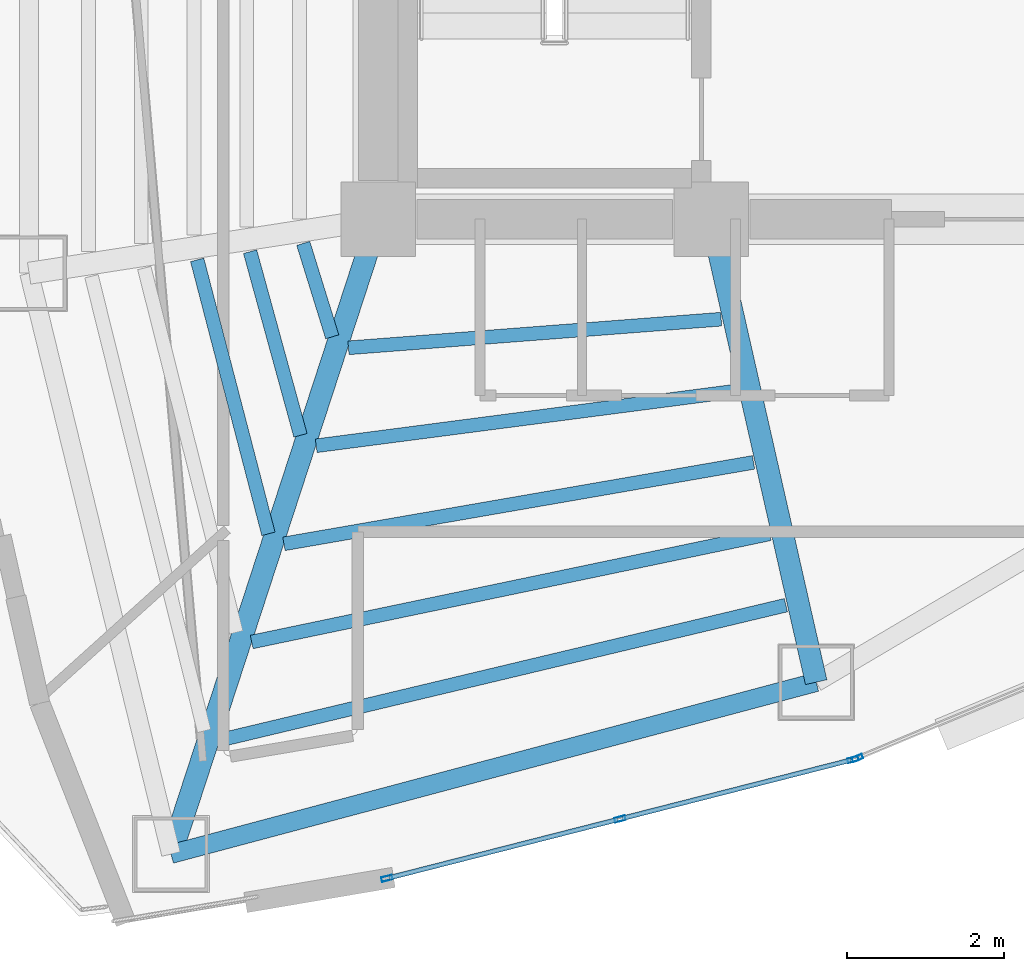
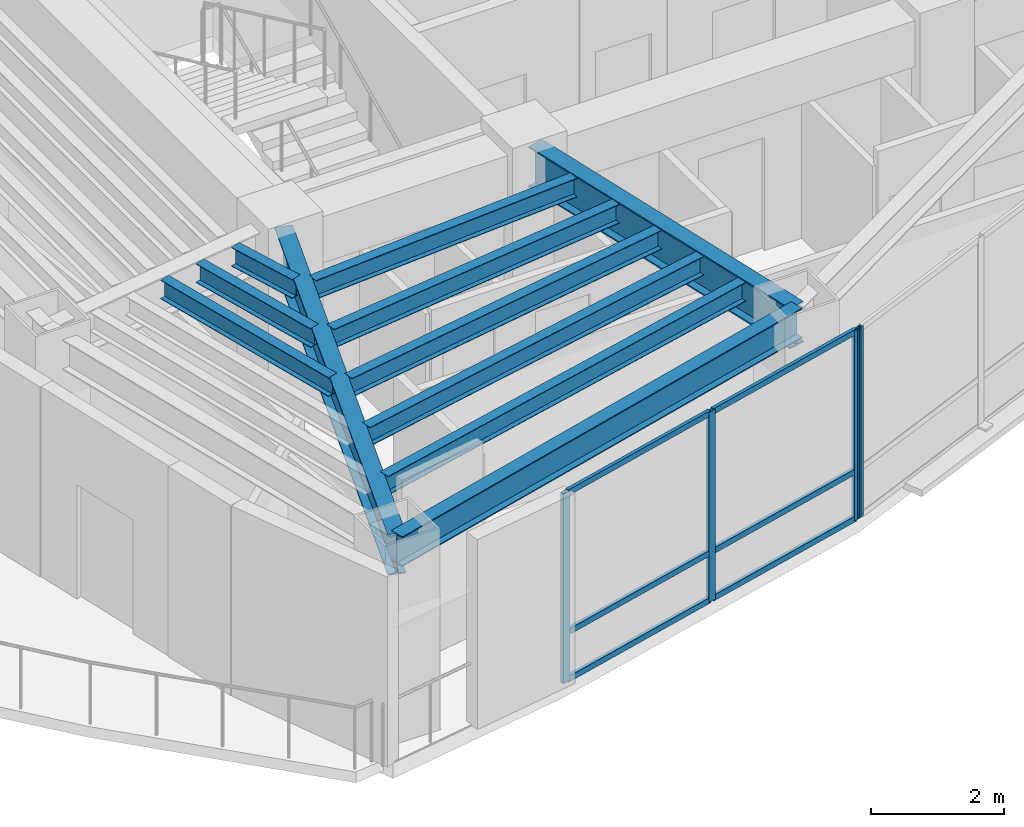
# One storey, part 3 of 17: 11 beams, 10 members, 2 elements without a shape of their own.
"""IFC4 building model written with IfcOpenShell, lengths in metres."""

from ifc_helpers import new_model, si_unit, direction, frame, origin, origin_2d, place, context, subcontext, project, spatial, hollow_rectangle, i_section, extrude, material, layer, layer_set, material_profile, profile_set, type_object, element, aggregate, save


model = new_model("IFC4")

# Units and contexts
model_context = context("Model", 3, precision=1e-05, world=origin(), true_north=direction((0.0, 1.0)))
body_context = subcontext(model_context, "Body", "Model", "MODEL_VIEW")
ifc_project = project(units=[si_unit("LENGTHUNIT", "METRE"), si_unit("AREAUNIT", "SQUARE_METRE"), si_unit("VOLUMEUNIT", "CUBIC_METRE"), si_unit("PLANEANGLEUNIT", "RADIAN"), si_unit("MASSUNIT", "GRAM", prefix="KILO")], contexts=[model_context])

# Site, building, storey
site_placement = place(None, origin())
site = spatial("IfcSite", under=ifc_project, at=site_placement, CompositionType="ELEMENT")
building_placement = place(site_placement, origin())
building = spatial("IfcBuilding", under=site, at=building_placement, Name="Menara Vayukalpa", CompositionType="ELEMENT")
storey_placement = place(building_placement, frame((0.0, 0.0, 206.39990234375)))
storey = spatial("IfcBuildingStorey", under=building, at=storey_placement, Name="L52", CompositionType="ELEMENT", Elevation=206.39990234375)

# Beams
ifc_material_1 = material(Name="Steel S355", Category="steel")
ifc_material_profile_1 = material_profile(ifc_material_1, i_section(OverallWidth=0.280029296875, OverallDepth=0.75, WebThickness=0.013916015625, FlangeThickness=0.02490234375, at=origin_2d()), Name="WF 750x280x14x25")
ifc_profile_set_1 = profile_set([ifc_material_profile_1], Name="Steel S355")
beam_type_1 = type_object("IfcBeamType", Name="BM-PG4", PredefinedType="BEAM", material=ifc_profile_set_1)
beam_1_placement = place(storey_placement, frame((17.722412109375, 16.96240234375, 3.125), z_axis=(-0.310343552153, -0.950624468251, 0.0), x_axis=(0.950624468251, -0.310343552153, 0.0)))
element("IfcBeam", 1, at=beam_1_placement, inside=storey, type_object=beam_type_1, Name="L52 Primary Radial Girder RG07", PredefinedType="BEAM", context=body_context, shape_type="SweptSolid", body=[
    extrude(i_section(OverallWidth=0.280029296875, OverallDepth=0.75, WebThickness=0.013916015625, FlangeThickness=0.02490234375, at=origin_2d()), origin(), (0.0, 0.0, 1.0), 8.2734375),
])
beam_2_placement = place(storey_placement, frame((22.105224609375, 16.956298828125, 3.125), z_axis=(0.221085149161, -0.975254508741, 0.0), x_axis=(0.975254508741, 0.221085149161, 0.0)))
element("IfcBeam", 2, at=beam_2_placement, inside=storey, type_object=beam_type_1, Name="L52 Primary Radial Girder RG08", PredefinedType="BEAM", context=body_context, shape_type="SweptSolid", body=[
    extrude(i_section(OverallWidth=0.280029296875, OverallDepth=0.75, WebThickness=0.013916015625, FlangeThickness=0.02490234375, at=origin_2d()), origin(), (0.0, 0.0, 1.0), 5.80859375),
])
ifc_material_2 = material(Name="Steel S355", Category="steel")
ifc_material_profile_2 = material_profile(ifc_material_2, i_section(OverallWidth=0.175048828125, OverallDepth=0.35009765625, WebThickness=0.007080078125, FlangeThickness=0.010986328125, at=origin_2d()), Name="WF 350x175x7x11")
ifc_profile_set_2 = profile_set([ifc_material_profile_2], Name="Steel S355")
beam_type_2 = type_object("IfcBeamType", Name="BM-SJ3", PredefinedType="JOIST", material=ifc_profile_set_2)
beam_3_placement = place(storey_placement, frame((16.8427734375, 16.891845703125, 3.3251953125), z_axis=(0.296448419226, -0.955048865105, 0.0), x_axis=(0.955048865105, 0.296448419226, 0.0)))
element("IfcBeam", 3, at=beam_3_placement, inside=storey, type_object=beam_type_2, Name="L52 Secondary Floor Joist SJ06-1", PredefinedType="JOIST", context=body_context, shape_type="SweptSolid", body=[
    extrude(i_section(OverallWidth=0.175048828125, OverallDepth=0.35009765625, WebThickness=0.007080078125, FlangeThickness=0.010986328125, at=origin_2d()), origin(), (0.0, 0.0, 1.0), 1.24853515625),
])
beam_4_placement = place(storey_placement, frame((16.164306640625, 16.7861328125, 3.3251953125), z_axis=(0.264502665082, -0.964384954344, 0.0), x_axis=(0.964384954344, 0.264502665082, 0.0)))
element("IfcBeam", 4, at=beam_4_placement, inside=storey, type_object=beam_type_2, Name="L52 Secondary Floor Joist SJ06-2", PredefinedType="JOIST", context=body_context, shape_type="SweptSolid", body=[
    extrude(i_section(OverallWidth=0.175048828125, OverallDepth=0.35009765625, WebThickness=0.007080078125, FlangeThickness=0.010986328125, at=origin_2d()), origin(), (0.0, 0.0, 1.0), 2.430419921875),
])
beam_5_placement = place(storey_placement, frame((15.48876953125, 16.681396484375, 3.3251953125), z_axis=(0.251714869346, -0.967801438597, 0.0), x_axis=(0.967801438597, 0.251714869346, 0.0)))
element("IfcBeam", 5, at=beam_5_placement, inside=storey, type_object=beam_type_2, Name="L52 Secondary Floor Joist SJ06-3", PredefinedType="JOIST", context=body_context, shape_type="SweptSolid", body=[
    extrude(i_section(OverallWidth=0.175048828125, OverallDepth=0.35009765625, WebThickness=0.007080078125, FlangeThickness=0.010986328125, at=origin_2d()), origin(), (0.0, 0.0, 1.0), 3.61279296875),
])
beam_6_placement = place(storey_placement, frame((17.419921875, 15.558837890625, 3.3251953125), z_axis=(0.997061705182, 0.076602585202, 0.0), x_axis=(-0.076602585202, 0.997061705182, 0.0)))
element("IfcBeam", 6, at=beam_6_placement, inside=storey, type_object=beam_type_2, Name="L52 Secondary Floor Joist SJ07-1", PredefinedType="JOIST", context=body_context, shape_type="SweptSolid", body=[
    extrude(i_section(OverallWidth=0.175048828125, OverallDepth=0.35009765625, WebThickness=0.007080078125, FlangeThickness=0.010986328125, at=origin_2d()), origin(), (0.0, 0.0, 1.0), 4.77099609375),
])
beam_7_placement = place(storey_placement, frame((17.008056640625, 14.308837890625, 3.3251953125), z_axis=(0.99161070493, 0.129260240866, 0.0), x_axis=(-0.129260240866, 0.99161070493, 0.0)))
element("IfcBeam", 7, at=beam_7_placement, inside=storey, type_object=beam_type_2, Name="L52 Secondary Floor Joist SJ07-2", PredefinedType="JOIST", context=body_context, shape_type="SweptSolid", body=[
    extrude(i_section(OverallWidth=0.175048828125, OverallDepth=0.35009765625, WebThickness=0.007080078125, FlangeThickness=0.010986328125, at=origin_2d()), origin(), (0.0, 0.0, 1.0), 5.420654296875),
])
beam_8_placement = place(storey_placement, frame((16.59619140625, 13.05712890625, 3.3251953125), z_axis=(0.985288833054, 0.170897382832, 0.0), x_axis=(-0.170897382832, 0.985288833054, 0.0)))
element("IfcBeam", 8, at=beam_8_placement, inside=storey, type_object=beam_type_2, Name="L52 Secondary Floor Joist SJ07-3", PredefinedType="JOIST", context=body_context, shape_type="SweptSolid", body=[
    extrude(i_section(OverallWidth=0.175048828125, OverallDepth=0.35009765625, WebThickness=0.007080078125, FlangeThickness=0.010986328125, at=origin_2d()), origin(), (0.0, 0.0, 1.0), 6.0830078125),
])
beam_9_placement = place(storey_placement, frame((16.184326171875, 11.80419921875, 3.3251953125), z_axis=(0.97888709748, 0.204401688806, 0.0), x_axis=(-0.204401688806, 0.97888709748, 0.0)))
element("IfcBeam", 9, at=beam_9_placement, inside=storey, type_object=beam_type_2, Name="L52 Secondary Floor Joist SJ07-4", PredefinedType="JOIST", context=body_context, shape_type="SweptSolid", body=[
    extrude(i_section(OverallWidth=0.175048828125, OverallDepth=0.35009765625, WebThickness=0.007080078125, FlangeThickness=0.010986328125, at=origin_2d()), origin(), (0.0, 0.0, 1.0), 6.75439453125),
])
beam_10_placement = place(storey_placement, frame((15.772705078125, 10.55029296875, 3.3251953125), z_axis=(0.972731800574, 0.231932844055, 0.0), x_axis=(-0.231932844055, 0.972731800574, 0.0)))
element("IfcBeam", 10, at=beam_10_placement, inside=storey, type_object=beam_type_2, Name="L52 Secondary Floor Joist SJ07-5", PredefinedType="JOIST", context=body_context, shape_type="SweptSolid", body=[
    extrude(i_section(OverallWidth=0.175048828125, OverallDepth=0.35009765625, WebThickness=0.007080078125, FlangeThickness=0.010986328125, at=origin_2d()), origin(), (0.0, 0.0, 1.0), 7.4326171875),
])
ifc_material_3 = material(Name="Steel S355", Category="steel")
ifc_material_profile_3 = material_profile(ifc_material_3, i_section(OverallWidth=0.239990234375, OverallDepth=0.550048828125, WebThickness=0.010986328125, FlangeThickness=0.01904296875, at=origin_2d()), Name="WF 550x240x11x19")
ifc_profile_set_3 = profile_set([ifc_material_profile_3], Name="Steel S355")
beam_type_3 = type_object("IfcBeamType", Name="BM-SP2", PredefinedType="SPANDREL", material=ifc_profile_set_3)
beam_11_placement = place(storey_placement, frame((15.15478515625, 9.097412109375, 3.22509765625), z_axis=(0.966287699272, 0.25746472037, 0.0), x_axis=(-0.25746472037, 0.966287699272, 0.0)))
element("IfcBeam", 11, at=beam_11_placement, inside=storey, type_object=beam_type_3, Name="L52 Perimeter Spandrel Beam SP07", PredefinedType="SPANDREL", context=body_context, shape_type="SweptSolid", body=[
    extrude(i_section(OverallWidth=0.239990234375, OverallDepth=0.550048828125, WebThickness=0.010986328125, FlangeThickness=0.01904296875, at=origin_2d()), origin(), (0.0, 0.0, 1.0), 8.52197265625),
])

# Curtain wall, members
ifc_material_4 = material(Name="Anodised Terracotta Aluminium Alloy 6063-T6", Category="masonry")
ifc_layer = layer(ifc_material_4, 0.139892578125)
ifc_layer_set = layer_set([ifc_layer], Name="Anodised Terracotta Aluminium Alloy 6063-T6")
curtain_wall_type = type_object("IfcCurtainWallType", Name="CW-CW5", PredefinedType="USERDEFINED", material=ifc_layer_set)
curtain_wall_1_placement = place(storey_placement, origin())
curtain_wall_1 = element("IfcCurtainWall", 12, at=curtain_wall_1_placement, inside=storey, type_object=curtain_wall_type, Name="L52 High Rise Tapered Curtain Wall CW5 16", ObjectType="UNITISED", PredefinedType="USERDEFINED")
ifc_material_5 = material(Name="Anodised Terracotta Aluminium Alloy 6063-T6", Category="masonry")
ifc_material_profile_4 = material_profile(ifc_material_5, hollow_rectangle(XDim=0.06005859375, YDim=0.139892578125, WallThickness=0.00341796875, at=origin_2d()), Name="ALU 60x140x3.5")
ifc_profile_set_4 = profile_set([ifc_material_profile_4], Name="Anodised Terracotta Aluminium Alloy 6063-T6")
member_type_1 = type_object("IfcMemberType", Name="CWM-CW5", PredefinedType="MULLION", material=ifc_profile_set_4)
member_1_placement = place(storey_placement, frame((17.910888671875, 8.786865234375, 0.0), z_axis=(0.0, 0.0, 1.0), x_axis=(-0.247129333864, 0.968982503631, 0.0)))
member_1 = element("IfcMember", 13, at=member_1_placement, type_object=member_type_1, Name="CW5 mullion 1", PredefinedType="MULLION", context=body_context, shape_type="SweptSolid", body=[
    extrude(hollow_rectangle(XDim=0.06005859375, YDim=0.139892578125, WallThickness=0.00341796875, at=origin_2d()), origin(), (0.0, 0.0, 1.0), 3.5),
])
member_2_placement = place(storey_placement, frame((20.88525390625, 9.54541015625, 0.0), z_axis=(0.0, 0.0, 1.0), x_axis=(-0.247129333864, 0.968982503631, 0.0)))
member_2 = element("IfcMember", 14, at=member_2_placement, type_object=member_type_1, Name="CW5 mullion 2", PredefinedType="MULLION", context=body_context, shape_type="SweptSolid", body=[
    extrude(hollow_rectangle(XDim=0.06005859375, YDim=0.139892578125, WallThickness=0.00341796875, at=origin_2d()), origin(), (0.0, 0.0, 1.0), 3.5),
])
member_3_placement = place(storey_placement, frame((23.859619140625, 10.303955078125, 0.0), z_axis=(0.0, 0.0, 1.0), x_axis=(-0.247129333864, 0.968982503631, 0.0)))
member_3 = element("IfcMember", 15, at=member_3_placement, type_object=member_type_1, Name="CW5 mullion 3", PredefinedType="MULLION", context=body_context, shape_type="SweptSolid", body=[
    extrude(hollow_rectangle(XDim=0.06005859375, YDim=0.139892578125, WallThickness=0.00341796875, at=origin_2d()), origin(), (0.0, 0.0, 1.0), 3.5),
])

# Curtain wall, member
curtain_wall_2_placement = place(storey_placement, origin())
curtain_wall_2 = element("IfcCurtainWall", 16, at=curtain_wall_2_placement, inside=storey, type_object=curtain_wall_type, Name="L52 High Rise Tapered Curtain Wall CW5 17", ObjectType="UNITISED", PredefinedType="USERDEFINED")
member_4_placement = place(storey_placement, frame((23.916259765625, 10.322998046875, 0.0), z_axis=(0.0, 0.0, 1.0), x_axis=(-0.385902834406, 0.922539431351, 0.0)))
member_4 = element("IfcMember", 17, at=member_4_placement, type_object=member_type_1, Name="CW5 mullion 1", PredefinedType="MULLION", context=body_context, shape_type="SweptSolid", body=[
    extrude(hollow_rectangle(XDim=0.06005859375, YDim=0.139892578125, WallThickness=0.00341796875, at=origin_2d()), origin(), (0.0, 0.0, 1.0), 3.5),
])
aggregate(curtain_wall_2, [member_4])

# Member
ifc_material_6 = material(Name="Anodised Terracotta Aluminium Alloy 6063-T6", Category="masonry")
ifc_material_profile_5 = material_profile(ifc_material_6, hollow_rectangle(XDim=0.06005859375, YDim=0.10498046875, WallThickness=0.0029296875, at=origin_2d()), Name="ALU 60x105x3")
ifc_profile_set_5 = profile_set([ifc_material_profile_5], Name="Anodised Terracotta Aluminium Alloy 6063-T6")
member_type_2 = type_object("IfcMemberType", Name="CWT-CW5", PredefinedType="USERDEFINED", material=ifc_profile_set_5)
member_5_placement = place(storey_placement, frame((17.93994140625, 8.794189453125, 0.030029296875), z_axis=(0.968971881927, 0.247170977332, 0.0), x_axis=(-0.247170977332, 0.968971881927, 0.0)))
member_5 = element("IfcMember", 18, at=member_5_placement, type_object=member_type_2, Name="CW5 transom 1.1", ObjectType="TRANSOM", PredefinedType="USERDEFINED", context=body_context, shape_type="SweptSolid", body=[
    extrude(hollow_rectangle(XDim=0.06005859375, YDim=0.10498046875, WallThickness=0.0029296875, at=origin_2d()), origin(), (0.0, 0.0, 1.0), 3.009521484375),
])

member_6_placement = place(storey_placement, frame((17.93994140625, 8.794189453125, 0.900146484375), z_axis=(0.968971881927, 0.247170977332, 0.0), x_axis=(-0.247170977332, 0.968971881927, 0.0)))
member_6 = element("IfcMember", 19, at=member_6_placement, type_object=member_type_2, Name="CW5 transom 1.2", ObjectType="TRANSOM", PredefinedType="USERDEFINED", context=body_context, shape_type="SweptSolid", body=[
    extrude(hollow_rectangle(XDim=0.06005859375, YDim=0.10498046875, WallThickness=0.0029296875, at=origin_2d()), origin(), (0.0, 0.0, 1.0), 3.009521484375),
])

member_7_placement = place(storey_placement, frame((17.93994140625, 8.794189453125, 3.47021484375), z_axis=(0.968971881927, 0.247170977332, 0.0), x_axis=(-0.247170977332, 0.968971881927, 0.0)))
member_7 = element("IfcMember", 20, at=member_7_placement, type_object=member_type_2, Name="CW5 transom 1.3", ObjectType="TRANSOM", PredefinedType="USERDEFINED", context=body_context, shape_type="SweptSolid", body=[
    extrude(hollow_rectangle(XDim=0.06005859375, YDim=0.10498046875, WallThickness=0.0029296875, at=origin_2d()), origin(), (0.0, 0.0, 1.0), 3.009521484375),
])

member_8_placement = place(storey_placement, frame((20.914306640625, 9.552734375, 0.030029296875), z_axis=(0.968971881927, 0.247170977332, 0.0), x_axis=(-0.247170977332, 0.968971881927, 0.0)))
member_8 = element("IfcMember", 21, at=member_8_placement, type_object=member_type_2, Name="CW5 transom 2.1", ObjectType="TRANSOM", PredefinedType="USERDEFINED", context=body_context, shape_type="SweptSolid", body=[
    extrude(hollow_rectangle(XDim=0.06005859375, YDim=0.10498046875, WallThickness=0.0029296875, at=origin_2d()), origin(), (0.0, 0.0, 1.0), 3.009521484375),
])

member_9_placement = place(storey_placement, frame((20.914306640625, 9.552734375, 0.900146484375), z_axis=(0.968971881927, 0.247170977332, 0.0), x_axis=(-0.247170977332, 0.968971881927, 0.0)))
member_9 = element("IfcMember", 22, at=member_9_placement, type_object=member_type_2, Name="CW5 transom 2.2", ObjectType="TRANSOM", PredefinedType="USERDEFINED", context=body_context, shape_type="SweptSolid", body=[
    extrude(hollow_rectangle(XDim=0.06005859375, YDim=0.10498046875, WallThickness=0.0029296875, at=origin_2d()), origin(), (0.0, 0.0, 1.0), 3.009521484375),
])

member_10_placement = place(storey_placement, frame((20.914306640625, 9.552734375, 3.47021484375), z_axis=(0.968971881927, 0.247170977332, 0.0), x_axis=(-0.247170977332, 0.968971881927, 0.0)))
member_10 = element("IfcMember", 23, at=member_10_placement, type_object=member_type_2, Name="CW5 transom 2.3", ObjectType="TRANSOM", PredefinedType="USERDEFINED", context=body_context, shape_type="SweptSolid", body=[
    extrude(hollow_rectangle(XDim=0.06005859375, YDim=0.10498046875, WallThickness=0.0029296875, at=origin_2d()), origin(), (0.0, 0.0, 1.0), 3.009521484375),
])

aggregate(curtain_wall_1, [member_1, member_2, member_3, member_5, member_6, member_7, member_8, member_9, member_10])

save(model, "model.ifc")
